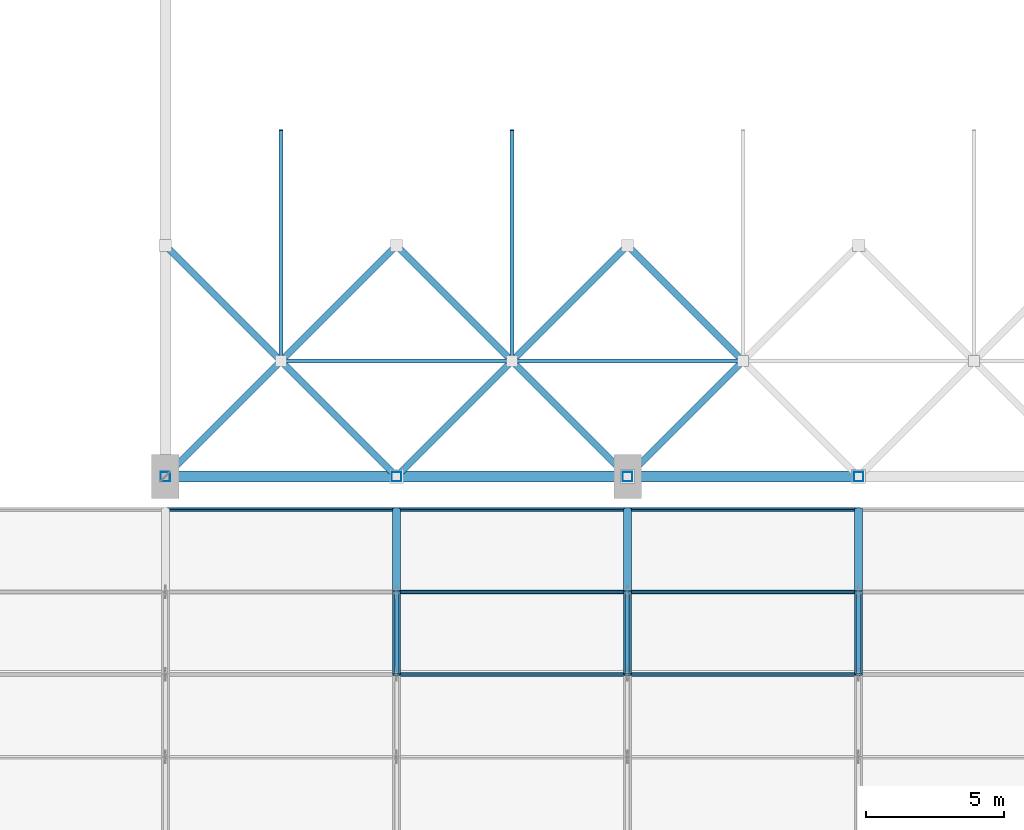
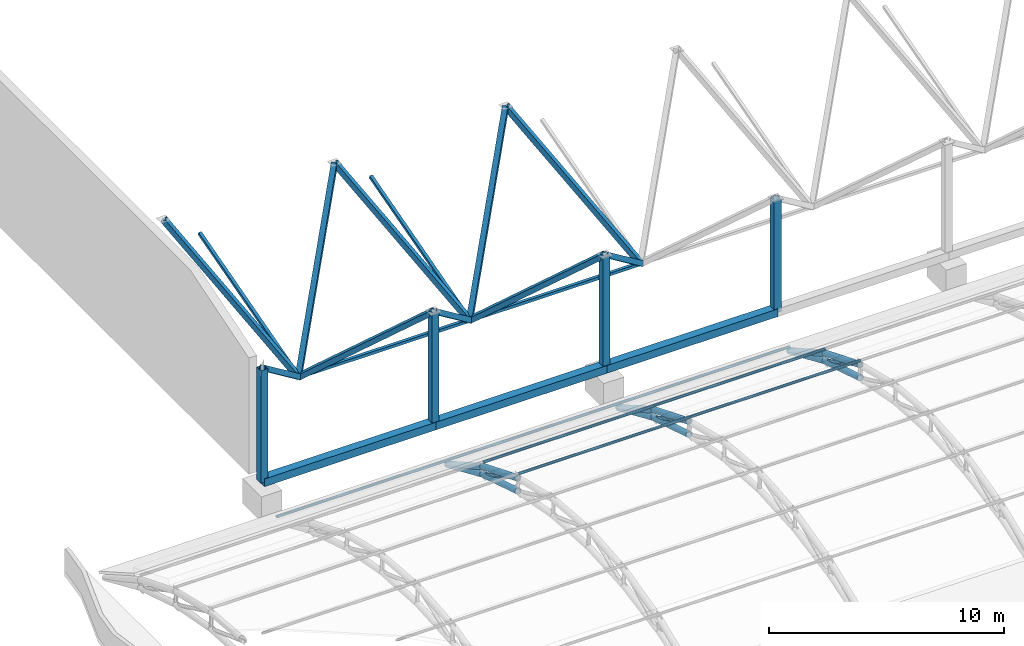
# One storey, part 15 of 163: 43 members.
"""IFC4 building model written with IfcOpenShell, lengths in metres."""

import ifcopenshell
import ifcopenshell.guid

model = None  # the IFC model being written
_history = None  # IfcOwnerHistory: only IFC2X3 demands one
_inside = {}  # id of a spatial element -> (the spatial element, [elements in it])
_under = {}  # id of a project, library or spatial element -> (it, [spatial elements below it])
_declared = {}  # id of a project -> (the project, [libraries it declares])
_typed = {}  # id of a type object -> (the type object, [elements of that type])
_made_of = {}  # id of a material, layer set ... -> (it, [elements and type objects made of it])


def new_model(schema):
    """Start an empty IFC model of exactly this schema.

    Asked for "IFC4X3", IfcOpenShell would pick the latest addendum, in which some entities
    have other attributes; the version numbers below select the first issue.
    IFC2X3 requires an IfcOwnerHistory on every rooted entity: one is made here for all.
    """
    global model, _history
    if schema == "IFC4X3":
        model = ifcopenshell.file(schema_version=(4, 3, 0, 0))
    else:
        model = ifcopenshell.file(schema=schema)
    _inside.clear()
    _under.clear()
    _declared.clear()
    _typed.clear()
    _made_of.clear()
    _history = None
    if model.schema == "IFC2X3":
        org = make("IfcOrganization", Name="unknown")
        user = make(
            "IfcPersonAndOrganization",
            ThePerson=make("IfcPerson", FamilyName="unknown"),
            TheOrganization=org,
        )
        app = make(
            "IfcApplication",
            ApplicationDeveloper=org,
            Version="unknown",
            ApplicationFullName="unknown",
            ApplicationIdentifier="unknown",
        )
        _history = make(
            "IfcOwnerHistory",
            OwningUser=user,
            OwningApplication=app,
            ChangeAction="ADDED",
            CreationDate=0,
        )
    return model


def make(cls, **values):
    """One entity of the class cls with the attributes given. An attribute that is None is left unset."""
    return model.create_entity(
        cls, **{name: value for name, value in values.items() if value is not None}
    )


def rooted(cls, **values):
    """An entity with a GlobalId (a new one), such as an element, a storey or a relation."""
    return make(cls, GlobalId=ifcopenshell.guid.new(), OwnerHistory=_history, **values)


def si_unit(unit_type, name, prefix=None):
    """IfcSIUnit, for example si_unit("LENGTHUNIT", "METRE", prefix="MILLI")."""
    return make("IfcSIUnit", UnitType=unit_type, Prefix=prefix, Name=name)


def assignment(units):
    """IfcUnitAssignment: the units of a project."""
    return None if units is None else make("IfcUnitAssignment", Units=units)


def point(xyz):
    """IfcCartesianPoint."""
    return None if xyz is None else make("IfcCartesianPoint", Coordinates=xyz)


def direction(xyz):
    """IfcDirection."""
    return None if xyz is None else make("IfcDirection", DirectionRatios=xyz)


def frame(location, z_axis=None, x_axis=None):
    """IfcAxis2Placement3D, a coordinate frame: its origin and axes. An axis left out is left unset."""
    return make(
        "IfcAxis2Placement3D",
        Location=point(location),
        Axis=direction(z_axis),
        RefDirection=direction(x_axis),
    )


def frame_2d(location, x_axis=None):
    """IfcAxis2Placement2D, a coordinate frame in the plane: its origin and x axis."""
    return make(
        "IfcAxis2Placement2D", Location=point(location), RefDirection=direction(x_axis)
    )


def origin():
    """The frame at (0, 0, 0) with its axes left unset."""
    return frame((0.0, 0.0, 0.0))


def origin_2d():
    """The frame at (0, 0) in the plane with its x axis left unset."""
    return frame_2d((0.0, 0.0))


def place(relative_to, where):
    """IfcLocalPlacement: puts the frame where relative to a parent placement (None: the world)."""
    return make(
        "IfcLocalPlacement", PlacementRelTo=relative_to, RelativePlacement=where
    )


def context(
    kind, dimensions, precision=None, world=None, true_north=None, identifier=None
):
    """IfcGeometricRepresentationContext, for example the 3D "Model" context."""
    return make(
        "IfcGeometricRepresentationContext",
        ContextIdentifier=identifier,
        ContextType=kind,
        CoordinateSpaceDimension=dimensions,
        Precision=precision,
        WorldCoordinateSystem=world,
        TrueNorth=true_north,
    )


def subcontext(parent, identifier, kind, view, scale=None):
    """IfcGeometricRepresentationSubContext, for example "Body" below "Model"."""
    return make(
        "IfcGeometricRepresentationSubContext",
        ContextIdentifier=identifier,
        ContextType=kind,
        ParentContext=parent,
        TargetScale=scale,
        TargetView=view,
    )


def project(units=None, contexts=None):
    """IfcProject with its units and contexts."""
    return rooted(
        "IfcProject",
        Name="project",
        RepresentationContexts=contexts,
        UnitsInContext=assignment(units),
    )


def spatial(cls, under=None, at=None, **own):
    """A site, building, storey or space (cls), placed at a placement, below another one or the project."""
    s = rooted(cls, ObjectPlacement=at, **own)
    if under is not None:
        _under.setdefault(under.id(), (under, []))[1].append(s)
    return s


def profile(cls, at=None, kind="AREA", **sizes):
    """A parametric profile (cls). Its sizes go by their IFC names, for example OverallWidth=200.0."""
    return make(cls, ProfileType=kind, Position=at, **sizes)


def hollow_rectangle(**sizes):
    """IfcRectangleHollowProfileDef."""
    return profile("IfcRectangleHollowProfileDef", **sizes)


def hollow_circle(**sizes):
    """IfcCircleHollowProfileDef."""
    return profile("IfcCircleHollowProfileDef", **sizes)


def extrude(swept, where, along, depth):
    """IfcExtrudedAreaSolid: the profile swept, set in the frame where, extruded along a direction by depth."""
    return make(
        "IfcExtrudedAreaSolid",
        SweptArea=swept,
        Position=where,
        ExtrudedDirection=direction(along),
        Depth=depth,
    )


def shape(context_of_items, identifier, shape_type, items):
    """IfcShapeRepresentation: the items that make up one representation, for example the "Body"."""
    return make(
        "IfcShapeRepresentation",
        ContextOfItems=context_of_items,
        RepresentationIdentifier=identifier,
        RepresentationType=shape_type,
        Items=items,
    )


def material(Name=None, Category=None):
    """IfcMaterial."""
    return make("IfcMaterial", Name=Name, Category=Category)


def material_profile(
    of_material, cross_section, Name=None, Category=None, Priority=None
):
    """IfcMaterialProfile: a cross section and its material."""
    return make(
        "IfcMaterialProfile",
        Name=Name,
        Material=of_material,
        Profile=cross_section,
        Priority=Priority,
        Category=Category,
    )


def profile_set(profiles, Name=None, composite=None):
    """IfcMaterialProfileSet."""
    return make(
        "IfcMaterialProfileSet",
        Name=Name,
        MaterialProfiles=profiles,
        CompositeProfile=composite,
    )


def made_of(thing, what):
    """Note that an element or type object is made of a material, layer set ...; save() writes the relation."""
    if what is not None:
        _made_of.setdefault(what.id(), (what, []))[1].append(thing)
    return thing


def type_object(cls, material=None, **own):
    """A type object (cls), such as IfcWallType, which elements share."""
    return made_of(rooted(cls, **own), material)


def element(
    cls,
    number,
    at=None,
    inside=None,
    cuts=None,
    type_object=None,
    material=None,
    context=None,
    identifier="Body",
    shape_type=None,
    held_by="IfcProductDefinitionShape",
    body=None,
    shapes=None,
    **own,
):
    """One element of the class cls, such as IfcWall. Its Tag is "e" and its number.

    at: its placement. inside: the storey or other place that contains it. cuts: it is an
    opening in that element (IfcRelVoidsElement). A single representation is given by context,
    identifier, shape_type and body (its items); several are given by shapes. held_by: the class
    of the entity that holds the representations. save() writes the other relations.
    """
    e = rooted(cls, Tag="e%d" % number, ObjectPlacement=at, **own)
    if body is not None:
        shapes = [shape(context, identifier, shape_type, body)]
    if shapes is not None:
        e.Representation = make(held_by, Representations=shapes)
    if inside is not None:
        _inside.setdefault(inside.id(), (inside, []))[1].append(e)
    if cuts is not None:
        rooted(
            "IfcRelVoidsElement", RelatingBuildingElement=cuts, RelatedOpeningElement=e
        )
    if type_object is not None:
        _typed.setdefault(type_object.id(), (type_object, []))[1].append(e)
    return made_of(e, material)


def aggregate(whole, parts):
    """IfcRelAggregates: a whole, such as a stair, and the parts it consists of."""
    return rooted("IfcRelAggregates", RelatingObject=whole, RelatedObjects=parts)


def save(model, path):
    """Write the relations noted so far, then the file.

    IfcRelAggregates (storeys below a building ...), IfcRelContainedInSpatialStructure (elements
    in a storey), IfcRelDefinesByType, IfcRelAssociatesMaterial and IfcRelDeclares: one each for
    every whole, place, type object, material and project.
    """
    for whole, parts in _under.values():
        aggregate(whole, parts)
    for where, things in _inside.values():
        rooted(
            "IfcRelContainedInSpatialStructure",
            RelatedElements=things,
            RelatingStructure=where,
        )
    for kind, things in _typed.values():
        rooted("IfcRelDefinesByType", RelatedObjects=things, RelatingType=kind)
    for what, things in _made_of.values():
        rooted("IfcRelAssociatesMaterial", RelatedObjects=things, RelatingMaterial=what)
    for by, libraries in _declared.values():
        rooted("IfcRelDeclares", RelatingContext=by, RelatedDefinitions=libraries)
    model.write(path)


model = new_model("IFC4")

# Units and contexts
model_context = context("Model", 3, precision=1e-05, world=origin(), true_north=direction((0.0, 1.0)))
body_context = subcontext(model_context, "Body", "Model", "MODEL_VIEW")
ifc_project = project(units=[si_unit("LENGTHUNIT", "METRE"), si_unit("AREAUNIT", "SQUARE_METRE"), si_unit("VOLUMEUNIT", "CUBIC_METRE"), si_unit("PLANEANGLEUNIT", "RADIAN"), si_unit("MASSUNIT", "GRAM", prefix="KILO")], contexts=[model_context])

# Site, building, storey
site_placement = place(None, origin())
site = spatial("IfcSite", under=ifc_project, at=site_placement, CompositionType="ELEMENT")
building_placement = place(site_placement, origin())
building = spatial("IfcBuilding", under=site, at=building_placement, Name="Rain Tree Exposition and Congress Centre", CompositionType="ELEMENT")
storey_placement = place(building_placement, frame((0.0, 0.0, 10.5)))
storey = spatial("IfcBuildingStorey", under=building, at=storey_placement, Name="L02", CompositionType="ELEMENT", Elevation=10.5)

# Members
ifc_material_1 = material(Name="Steel S355J2H", Category="steel")
ifc_material_profile_1 = material_profile(ifc_material_1, hollow_circle(Radius=0.090087890625, WallThickness=0.008056640625, at=origin_2d()), Name="CHS 180x8")
ifc_profile_set_1 = profile_set([ifc_material_profile_1], Name="Steel S355J2H")
member_type_1 = type_object("IfcMemberType", Name="Steel brace member CHS 180x8", PredefinedType="BRACE", material=ifc_profile_set_1)
for number, where, z_axis, x_axis, name in (
    (1, (16.800048828125, 96.60009765625, 1.4423828125), (0.0, -0.880818418444, 0.473454236151), (1.0, 0.0, 0.0), "Roof truss 3 diagonal 6"),
    (2, (25.199951171875, 96.60009765625, 1.4423828125), (0.0, -0.880818418444, 0.473454236151), (1.0, 0.0, 0.0), "Roof truss 4 diagonal 6"),
    (3, (33.60009765625, 96.60009765625, 1.4423828125), (0.0, -0.880818418444, 0.473454236151), (1.0, 0.0, 0.0), "Roof truss 5 diagonal 6"),
):
    element("IfcMember", number, at=place(storey_placement, frame(where, z_axis=z_axis, x_axis=x_axis)), inside=storey, type_object=member_type_1, Name=name, PredefinedType="BRACE", context=body_context, shape_type="SweptSolid", body=[
        extrude(hollow_circle(Radius=0.090087890625, WallThickness=0.008056640625, at=origin_2d()), origin(), (0.0, 0.0, 1.0), 3.406005859375),
    ])
ifc_material_2 = material(Name="Steel S355J2H", Category="steel")
ifc_material_profile_2 = material_profile(ifc_material_2, hollow_rectangle(XDim=0.25, YDim=0.25, WallThickness=0.006103515625, at=origin_2d()), Name="RHS 250x250x6")
ifc_profile_set_2 = profile_set([ifc_material_profile_2], Name="Steel S355J2H")
member_type_2 = type_object("IfcMemberType", Name="Steel brace member RHS 250x250x6", PredefinedType="BRACE", material=ifc_profile_set_2)
for number, where, z_axis, x_axis, name in (
    (4, (12.60009765625, 105.0, 2.87353515625), (-0.564709499992, -0.564676675678, 0.601866623567), (0.70708622964, -0.707127332136, 0.0), "Diagonal 363"),
    (5, (12.60009765625, 105.0, 2.87353515625), (0.564687142626, -0.564687142626, 0.601877779875), (0.707106781187, 0.707106781187, 0.0), "Diagonal 364"),
):
    element("IfcMember", number, at=place(storey_placement, frame(where, z_axis=z_axis, x_axis=x_axis)), inside=storey, type_object=member_type_2, Name=name, PredefinedType="BRACE", context=body_context, shape_type="SweptSolid", body=[
        extrude(hollow_rectangle(XDim=0.25, YDim=0.25, WallThickness=0.006103515625, at=origin_2d()), origin(), (0.0, 0.0, 1.0), 7.437744140625),
    ])
for number, where, z_axis, x_axis, name in (
    (6, (12.60009765625, 105.0, 2.87353515625), (-0.453987384881, 0.453960996403, 0.766690855635), (-0.70708622964, -0.707127332136, 0.0), "Diagonal 365"),
    (7, (12.60009765625, 105.0, 2.87353515625), (0.453966434812, 0.453966434812, 0.766700040517), (-0.707106781187, 0.707106781187, 0.0), "Diagonal 366"),
):
    element("IfcMember", number, at=place(storey_placement, frame(where, z_axis=z_axis, x_axis=x_axis)), inside=storey, type_object=member_type_2, Name=name, PredefinedType="BRACE", context=body_context, shape_type="SweptSolid", body=[
        extrude(hollow_rectangle(XDim=0.25, YDim=0.25, WallThickness=0.006103515625, at=origin_2d()), origin(), (0.0, 0.0, 1.0), 9.251708984375),
    ])
for number, where, z_axis, x_axis, name in (
    (8, (21.0, 105.0, 2.87353515625), (-0.564687142626, -0.564687142626, 0.601877779875), (0.707106781187, -0.707106781187, 0.0), "Diagonal 369"),
    (9, (21.0, 105.0, 2.87353515625), (0.564687142626, -0.564687142626, 0.601877779875), (0.707106781187, 0.707106781187, 0.0), "Diagonal 370"),
):
    element("IfcMember", number, at=place(storey_placement, frame(where, z_axis=z_axis, x_axis=x_axis)), inside=storey, type_object=member_type_2, Name=name, PredefinedType="BRACE", context=body_context, shape_type="SweptSolid", body=[
        extrude(hollow_rectangle(XDim=0.25, YDim=0.25, WallThickness=0.006103515625, at=origin_2d()), origin(), (0.0, 0.0, 1.0), 7.437744140625),
    ])
for number, where, z_axis, x_axis, name in (
    (10, (21.0, 105.0, 2.87353515625), (-0.453966434812, 0.453966434812, 0.766700040517), (-0.707106781187, -0.707106781187, 0.0), "Diagonal 371"),
    (11, (21.0, 105.0, 2.87353515625), (0.453966434812, 0.453966434812, 0.766700040517), (-0.707106781187, 0.707106781187, 0.0), "Diagonal 372"),
):
    element("IfcMember", number, at=place(storey_placement, frame(where, z_axis=z_axis, x_axis=x_axis)), inside=storey, type_object=member_type_2, Name=name, PredefinedType="BRACE", context=body_context, shape_type="SweptSolid", body=[
        extrude(hollow_rectangle(XDim=0.25, YDim=0.25, WallThickness=0.006103515625, at=origin_2d()), origin(), (0.0, 0.0, 1.0), 9.251708984375),
    ])
member_1_placement = place(storey_placement, frame((29.39990234375, 105.0, 2.87353515625), z_axis=(-0.564687142626, -0.564687142626, 0.601877779875), x_axis=(0.707106781187, -0.707106781187, 0.0)))
element("IfcMember", 12, at=member_1_placement, inside=storey, type_object=member_type_2, Name="Diagonal 375", PredefinedType="BRACE", context=body_context, shape_type="SweptSolid", body=[
    extrude(hollow_rectangle(XDim=0.25, YDim=0.25, WallThickness=0.006103515625, at=origin_2d()), origin(), (0.0, 0.0, 1.0), 7.437744140625),
])
member_2_placement = place(storey_placement, frame((29.39990234375, 105.0, 2.87353515625), z_axis=(-0.453966434812, 0.453966434812, 0.766700040517), x_axis=(-0.707106781187, -0.707106781187, 0.0)))
element("IfcMember", 13, at=member_2_placement, inside=storey, type_object=member_type_2, Name="Diagonal 377", PredefinedType="BRACE", context=body_context, shape_type="SweptSolid", body=[
    extrude(hollow_rectangle(XDim=0.25, YDim=0.25, WallThickness=0.006103515625, at=origin_2d()), origin(), (0.0, 0.0, 1.0), 9.251708984375),
])
ifc_material_3 = material(Name="Steel S355J2H", Category="steel")
ifc_material_profile_3 = material_profile(ifc_material_3, hollow_circle(Radius=0.14990234375, WallThickness=0.013916015625, at=origin_2d()), Name="CHS 300x14")
ifc_profile_set_3 = profile_set([ifc_material_profile_3], Name="Steel S355J2H")
member_type_3 = type_object("IfcMemberType", Name="Steel chord member CHS 300x14", PredefinedType="CHORD", material=ifc_profile_set_3)
member_3_placement = place(storey_placement, frame((16.800048828125, 93.60009765625, 3.054931640625), z_axis=(0.0, 0.926466577122, -0.376377046956), x_axis=(-1.0, 0.0, 0.0)))
element("IfcMember", 14, at=member_3_placement, inside=storey, type_object=member_type_3, Name="Roof truss 3 top chord 7", PredefinedType="CHORD", context=body_context, shape_type="SweptSolid", body=[
    extrude(hollow_circle(Radius=0.14990234375, WallThickness=0.013916015625, at=origin_2d()), origin(), (0.0, 0.0, 1.0), 3.238037109375),
])
member_4_placement = place(storey_placement, frame((16.800048828125, 93.60009765625, 2.3798828125), z_axis=(0.0, 0.954479978035, -0.298274993136), x_axis=(-1.0, 0.0, 0.0)))
element("IfcMember", 15, at=member_4_placement, inside=storey, type_object=member_type_3, Name="Roof truss 3 bottom chord 7", PredefinedType="CHORD", context=body_context, shape_type="SweptSolid", body=[
    extrude(hollow_circle(Radius=0.14990234375, WallThickness=0.013916015625, at=origin_2d()), origin(), (0.0, 0.0, 1.0), 3.14306640625),
])
member_5_placement = place(storey_placement, frame((16.800048828125, 96.60009765625, 1.836181640625), z_axis=(0.0, 0.869238262324, -0.494393409455), x_axis=(-1.0, 0.0, 0.0)))
element("IfcMember", 16, at=member_5_placement, inside=storey, type_object=member_type_3, Name="Roof truss 3 top chord 8", PredefinedType="CHORD", context=body_context, shape_type="SweptSolid", body=[
    extrude(hollow_circle(Radius=0.14990234375, WallThickness=0.013916015625, at=origin_2d()), origin(), (0.0, 0.0, 1.0), 3.451416015625),
])
member_6_placement = place(storey_placement, frame((16.800048828125, 96.60009765625, 1.4423828125), z_axis=(0.0, 0.916157334902, -0.40081883402), x_axis=(-1.0, 0.0, 0.0)))
element("IfcMember", 17, at=member_6_placement, inside=storey, type_object=member_type_3, Name="Roof truss 3 bottom chord 8", PredefinedType="CHORD", context=body_context, shape_type="SweptSolid", body=[
    extrude(hollow_circle(Radius=0.14990234375, WallThickness=0.013916015625, at=origin_2d()), origin(), (0.0, 0.0, 1.0), 3.274658203125),
])
member_7_placement = place(storey_placement, frame((25.199951171875, 93.60009765625, 3.054931640625), z_axis=(0.0, 0.926466577122, -0.376377046956), x_axis=(-1.0, 0.0, 0.0)))
element("IfcMember", 18, at=member_7_placement, inside=storey, type_object=member_type_3, Name="Roof truss 4 top chord 7", PredefinedType="CHORD", context=body_context, shape_type="SweptSolid", body=[
    extrude(hollow_circle(Radius=0.14990234375, WallThickness=0.013916015625, at=origin_2d()), origin(), (0.0, 0.0, 1.0), 3.238037109375),
])
member_8_placement = place(storey_placement, frame((25.199951171875, 93.60009765625, 2.3798828125), z_axis=(0.0, 0.954479978035, -0.298274993136), x_axis=(-1.0, 0.0, 0.0)))
element("IfcMember", 19, at=member_8_placement, inside=storey, type_object=member_type_3, Name="Roof truss 4 bottom chord 7", PredefinedType="CHORD", context=body_context, shape_type="SweptSolid", body=[
    extrude(hollow_circle(Radius=0.14990234375, WallThickness=0.013916015625, at=origin_2d()), origin(), (0.0, 0.0, 1.0), 3.14306640625),
])
member_9_placement = place(storey_placement, frame((25.199951171875, 96.60009765625, 1.836181640625), z_axis=(0.0, 0.869238262324, -0.494393409455), x_axis=(-1.0, 0.0, 0.0)))
element("IfcMember", 20, at=member_9_placement, inside=storey, type_object=member_type_3, Name="Roof truss 4 top chord 8", PredefinedType="CHORD", context=body_context, shape_type="SweptSolid", body=[
    extrude(hollow_circle(Radius=0.14990234375, WallThickness=0.013916015625, at=origin_2d()), origin(), (0.0, 0.0, 1.0), 3.451416015625),
])
member_10_placement = place(storey_placement, frame((25.199951171875, 96.60009765625, 1.4423828125), z_axis=(0.0, 0.916157334902, -0.40081883402), x_axis=(-1.0, 0.0, 0.0)))
element("IfcMember", 21, at=member_10_placement, inside=storey, type_object=member_type_3, Name="Roof truss 4 bottom chord 8", PredefinedType="CHORD", context=body_context, shape_type="SweptSolid", body=[
    extrude(hollow_circle(Radius=0.14990234375, WallThickness=0.013916015625, at=origin_2d()), origin(), (0.0, 0.0, 1.0), 3.274658203125),
])
member_11_placement = place(storey_placement, frame((33.60009765625, 93.60009765625, 3.054931640625), z_axis=(0.0, 0.926466577122, -0.376377046956), x_axis=(-1.0, 0.0, 0.0)))
element("IfcMember", 22, at=member_11_placement, inside=storey, type_object=member_type_3, Name="Roof truss 5 top chord 7", PredefinedType="CHORD", context=body_context, shape_type="SweptSolid", body=[
    extrude(hollow_circle(Radius=0.14990234375, WallThickness=0.013916015625, at=origin_2d()), origin(), (0.0, 0.0, 1.0), 3.238037109375),
])
member_12_placement = place(storey_placement, frame((33.60009765625, 93.60009765625, 2.3798828125), z_axis=(0.0, 0.954479978035, -0.298274993136), x_axis=(-1.0, 0.0, 0.0)))
element("IfcMember", 23, at=member_12_placement, inside=storey, type_object=member_type_3, Name="Roof truss 5 bottom chord 7", PredefinedType="CHORD", context=body_context, shape_type="SweptSolid", body=[
    extrude(hollow_circle(Radius=0.14990234375, WallThickness=0.013916015625, at=origin_2d()), origin(), (0.0, 0.0, 1.0), 3.14306640625),
])
member_13_placement = place(storey_placement, frame((33.60009765625, 96.60009765625, 1.836181640625), z_axis=(0.0, 0.869238262324, -0.494393409455), x_axis=(-1.0, 0.0, 0.0)))
element("IfcMember", 24, at=member_13_placement, inside=storey, type_object=member_type_3, Name="Roof truss 5 top chord 8", PredefinedType="CHORD", context=body_context, shape_type="SweptSolid", body=[
    extrude(hollow_circle(Radius=0.14990234375, WallThickness=0.013916015625, at=origin_2d()), origin(), (0.0, 0.0, 1.0), 3.451416015625),
])
member_14_placement = place(storey_placement, frame((33.60009765625, 96.60009765625, 1.4423828125), z_axis=(0.0, 0.916157334902, -0.40081883402), x_axis=(-1.0, 0.0, 0.0)))
element("IfcMember", 25, at=member_14_placement, inside=storey, type_object=member_type_3, Name="Roof truss 5 bottom chord 8", PredefinedType="CHORD", context=body_context, shape_type="SweptSolid", body=[
    extrude(hollow_circle(Radius=0.14990234375, WallThickness=0.013916015625, at=origin_2d()), origin(), (0.0, 0.0, 1.0), 3.274658203125),
])
ifc_material_4 = material(Name="Steel S355J2H", Category="steel")
ifc_material_profile_4 = material_profile(ifc_material_4, hollow_rectangle(XDim=0.14990234375, YDim=0.14990234375, WallThickness=0.00439453125, at=origin_2d()), Name="RHS 150x150x4.5")
ifc_profile_set_4 = profile_set([ifc_material_profile_4], Name="Steel S355J2H")
member_type_4 = type_object("IfcMemberType", Name="Steel chord member RHS 150x150x4.5", PredefinedType="CHORD", material=ifc_profile_set_4)
member_15_placement = place(storey_placement, frame((12.60009765625, 105.0, 2.87353515625), z_axis=(1.0, 0.0, 0.0), x_axis=(0.0, 1.0, 0.0)))
element("IfcMember", 26, at=member_15_placement, inside=storey, type_object=member_type_4, Name="Bottom chord 367", PredefinedType="CHORD", context=body_context, shape_type="SweptSolid", body=[
    extrude(hollow_rectangle(XDim=0.14990234375, YDim=0.14990234375, WallThickness=0.00439453125, at=origin_2d()), origin(), (0.0, 0.0, 1.0), 8.39990234375),
])
member_16_placement = place(storey_placement, frame((12.60009765625, 105.0, 2.87353515625), z_axis=(0.0, 0.9627506985, 0.27039062953), x_axis=(-1.0, 0.0, 0.0)))
element("IfcMember", 27, at=member_16_placement, inside=storey, type_object=member_type_4, Name="Bottom chord 368", PredefinedType="CHORD", context=body_context, shape_type="SweptSolid", body=[
    extrude(hollow_rectangle(XDim=0.14990234375, YDim=0.14990234375, WallThickness=0.00439453125, at=origin_2d()), origin(), (0.0, 0.0, 1.0), 8.724853515625),
])
member_17_placement = place(storey_placement, frame((21.0, 105.0, 2.87353515625), z_axis=(1.0, 0.0, 0.0), x_axis=(0.0, 1.0, 0.0)))
element("IfcMember", 28, at=member_17_placement, inside=storey, type_object=member_type_4, Name="Bottom chord 373", PredefinedType="CHORD", context=body_context, shape_type="SweptSolid", body=[
    extrude(hollow_rectangle(XDim=0.14990234375, YDim=0.14990234375, WallThickness=0.00439453125, at=origin_2d()), origin(), (0.0, 0.0, 1.0), 8.39990234375),
])
member_18_placement = place(storey_placement, frame((21.0, 105.0, 2.87353515625), z_axis=(0.0, 0.9627506985, 0.27039062953), x_axis=(-1.0, 0.0, 0.0)))
element("IfcMember", 29, at=member_18_placement, inside=storey, type_object=member_type_4, Name="Bottom chord 374", PredefinedType="CHORD", context=body_context, shape_type="SweptSolid", body=[
    extrude(hollow_rectangle(XDim=0.14990234375, YDim=0.14990234375, WallThickness=0.00439453125, at=origin_2d()), origin(), (0.0, 0.0, 1.0), 8.724853515625),
])
ifc_material_5 = material(Name="Steel S355J2H", Category="steel")
ifc_material_profile_5 = material_profile(ifc_material_5, hollow_rectangle(XDim=0.39990234375, YDim=0.39990234375, WallThickness=0.011962890625, at=origin_2d()), Name="RHS 400x400x12")
ifc_profile_set_5 = profile_set([ifc_material_profile_5], Name="Steel S355J2H")
member_type_5 = type_object("IfcMemberType", Name="Steel chord member RHS 400x400x12", PredefinedType="CHORD", material=ifc_profile_set_5)
member_19_placement = place(storey_placement, frame((8.39990234375, 100.800048828125, 1.5), z_axis=(1.0, 0.0, 0.0), x_axis=(0.0, 1.0, 0.0)))
element("IfcMember", 30, at=member_19_placement, inside=storey, type_object=member_type_5, Name="Eaves chord 1345", PredefinedType="CHORD", context=body_context, shape_type="SweptSolid", body=[
    extrude(hollow_rectangle(XDim=0.39990234375, YDim=0.39990234375, WallThickness=0.011962890625, at=origin_2d()), origin(), (0.0, 0.0, 1.0), 8.400146484375),
])
member_20_placement = place(storey_placement, frame((16.800048828125, 100.800048828125, 1.5), z_axis=(1.0, 0.0, 0.0), x_axis=(0.0, 1.0, 0.0)))
element("IfcMember", 31, at=member_20_placement, inside=storey, type_object=member_type_5, Name="Eaves chord 1346", PredefinedType="CHORD", context=body_context, shape_type="SweptSolid", body=[
    extrude(hollow_rectangle(XDim=0.39990234375, YDim=0.39990234375, WallThickness=0.011962890625, at=origin_2d()), origin(), (0.0, 0.0, 1.0), 8.39990234375),
])
member_21_placement = place(storey_placement, frame((25.199951171875, 100.800048828125, 1.5), z_axis=(1.0, 0.0, 0.0), x_axis=(0.0, 1.0, 0.0)))
element("IfcMember", 32, at=member_21_placement, inside=storey, type_object=member_type_5, Name="Eaves chord 1347", PredefinedType="CHORD", context=body_context, shape_type="SweptSolid", body=[
    extrude(hollow_rectangle(XDim=0.39990234375, YDim=0.39990234375, WallThickness=0.011962890625, at=origin_2d()), origin(), (0.0, 0.0, 1.0), 8.400146484375),
])
ifc_material_6 = material(Name="Steel S355J2H", Category="steel")
ifc_material_profile_6 = material_profile(ifc_material_6, hollow_rectangle(XDim=0.35009765625, YDim=0.35009765625, WallThickness=0.009033203125, at=origin_2d()), Name="RHS 350x350x9")
ifc_profile_set_6 = profile_set([ifc_material_profile_6], Name="Steel S355J2H")
member_type_6 = type_object("IfcMemberType", Name="Steel post member RHS 350x350x9", PredefinedType="POST", material=ifc_profile_set_6)
for number, where, z_axis, x_axis, name in (
    (33, (8.39990234375, 100.800048828125, 1.5), (0.0, 0.0, 1.0), (1.0, 0.0, 0.0), "Eaves post 1359"),
    (34, (16.800048828125, 100.800048828125, 1.5), (0.0, 0.0, 1.0), (1.0, 0.0, 0.0), "Eaves post 1360"),
    (35, (25.199951171875, 100.800048828125, 1.5), (0.0, 0.0, 1.0), (1.0, 0.0, 0.0), "Eaves post 1361"),
    (36, (33.60009765625, 100.800048828125, 1.5), (0.0, 0.0, 1.0), (1.0, 0.0, 0.0), "Eaves post 1362"),
):
    element("IfcMember", number, at=place(storey_placement, frame(where, z_axis=z_axis, x_axis=x_axis)), inside=storey, type_object=member_type_6, Name=name, PredefinedType="POST", context=body_context, shape_type="SweptSolid", body=[
        extrude(hollow_rectangle(XDim=0.35009765625, YDim=0.35009765625, WallThickness=0.009033203125, at=origin_2d()), origin(), (0.0, 0.0, 1.0), 5.85009765625),
    ])
ifc_material_7 = material(Name="Steel S355J2H", Category="steel")
ifc_material_profile_7 = material_profile(ifc_material_7, hollow_circle(Radius=0.070068359375, WallThickness=0.006103515625, at=origin_2d()), Name="CHS 140x6")
ifc_profile_set_7 = profile_set([ifc_material_profile_7], Name="Steel S355J2H")
member_type_7 = type_object("IfcMemberType", Name="Steel purlin member CHS 140x6", PredefinedType="PURLIN", material=ifc_profile_set_7)
member_22_placement = place(storey_placement, frame((16.800048828125, 93.60009765625, 3.27490234375), z_axis=(1.0, 0.0, 0.0), x_axis=(0.0, 1.0, 0.0)))
element("IfcMember", 37, at=member_22_placement, inside=storey, type_object=member_type_7, Name="Roof purlin 7.3", PredefinedType="PURLIN", context=body_context, shape_type="SweptSolid", body=[
    extrude(hollow_circle(Radius=0.070068359375, WallThickness=0.006103515625, at=origin_2d()), origin(), (0.0, 0.0, 1.0), 8.39990234375),
])
member_23_placement = place(storey_placement, frame((25.199951171875, 93.60009765625, 3.27490234375), z_axis=(1.0, 0.0, 0.0), x_axis=(0.0, 1.0, 0.0)))
element("IfcMember", 38, at=member_23_placement, inside=storey, type_object=member_type_7, Name="Roof purlin 7.4", PredefinedType="PURLIN", context=body_context, shape_type="SweptSolid", body=[
    extrude(hollow_circle(Radius=0.070068359375, WallThickness=0.006103515625, at=origin_2d()), origin(), (0.0, 0.0, 1.0), 8.400146484375),
])
member_24_placement = place(storey_placement, frame((16.800048828125, 96.60009765625, 2.056396484375), z_axis=(1.0, 0.0, 0.0), x_axis=(0.0, 1.0, 0.0)))
element("IfcMember", 39, at=member_24_placement, inside=storey, type_object=member_type_7, Name="Roof purlin 8.3", PredefinedType="PURLIN", context=body_context, shape_type="SweptSolid", body=[
    extrude(hollow_circle(Radius=0.070068359375, WallThickness=0.006103515625, at=origin_2d()), origin(), (0.0, 0.0, 1.0), 8.39990234375),
])
for number, where, z_axis, x_axis, name in (
    (40, (25.199951171875, 96.60009765625, 2.056396484375), (1.0, 0.0, 0.0), (0.0, 1.0, 0.0), "Roof purlin 8.4"),
    (41, (8.39990234375, 99.60009765625, 0.35009765625), (1.0, 0.0, 0.0), (0.0, 1.0, 0.0), "Roof purlin 9.2"),
):
    element("IfcMember", number, at=place(storey_placement, frame(where, z_axis=z_axis, x_axis=x_axis)), inside=storey, type_object=member_type_7, Name=name, PredefinedType="PURLIN", context=body_context, shape_type="SweptSolid", body=[
        extrude(hollow_circle(Radius=0.070068359375, WallThickness=0.006103515625, at=origin_2d()), origin(), (0.0, 0.0, 1.0), 8.400146484375),
    ])
member_25_placement = place(storey_placement, frame((16.800048828125, 99.60009765625, 0.35009765625), z_axis=(1.0, 0.0, 0.0), x_axis=(0.0, 1.0, 0.0)))
element("IfcMember", 42, at=member_25_placement, inside=storey, type_object=member_type_7, Name="Roof purlin 9.3", PredefinedType="PURLIN", context=body_context, shape_type="SweptSolid", body=[
    extrude(hollow_circle(Radius=0.070068359375, WallThickness=0.006103515625, at=origin_2d()), origin(), (0.0, 0.0, 1.0), 8.39990234375),
])
member_26_placement = place(storey_placement, frame((25.199951171875, 99.60009765625, 0.35009765625), z_axis=(1.0, 0.0, 0.0), x_axis=(0.0, 1.0, 0.0)))
element("IfcMember", 43, at=member_26_placement, inside=storey, type_object=member_type_7, Name="Roof purlin 9.4", PredefinedType="PURLIN", context=body_context, shape_type="SweptSolid", body=[
    extrude(hollow_circle(Radius=0.070068359375, WallThickness=0.006103515625, at=origin_2d()), origin(), (0.0, 0.0, 1.0), 8.400146484375),
])

save(model, "model.ifc")
